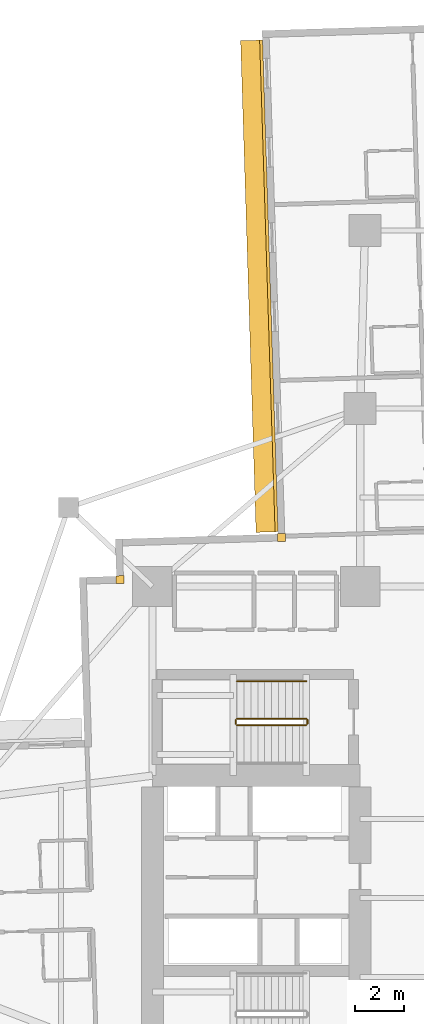
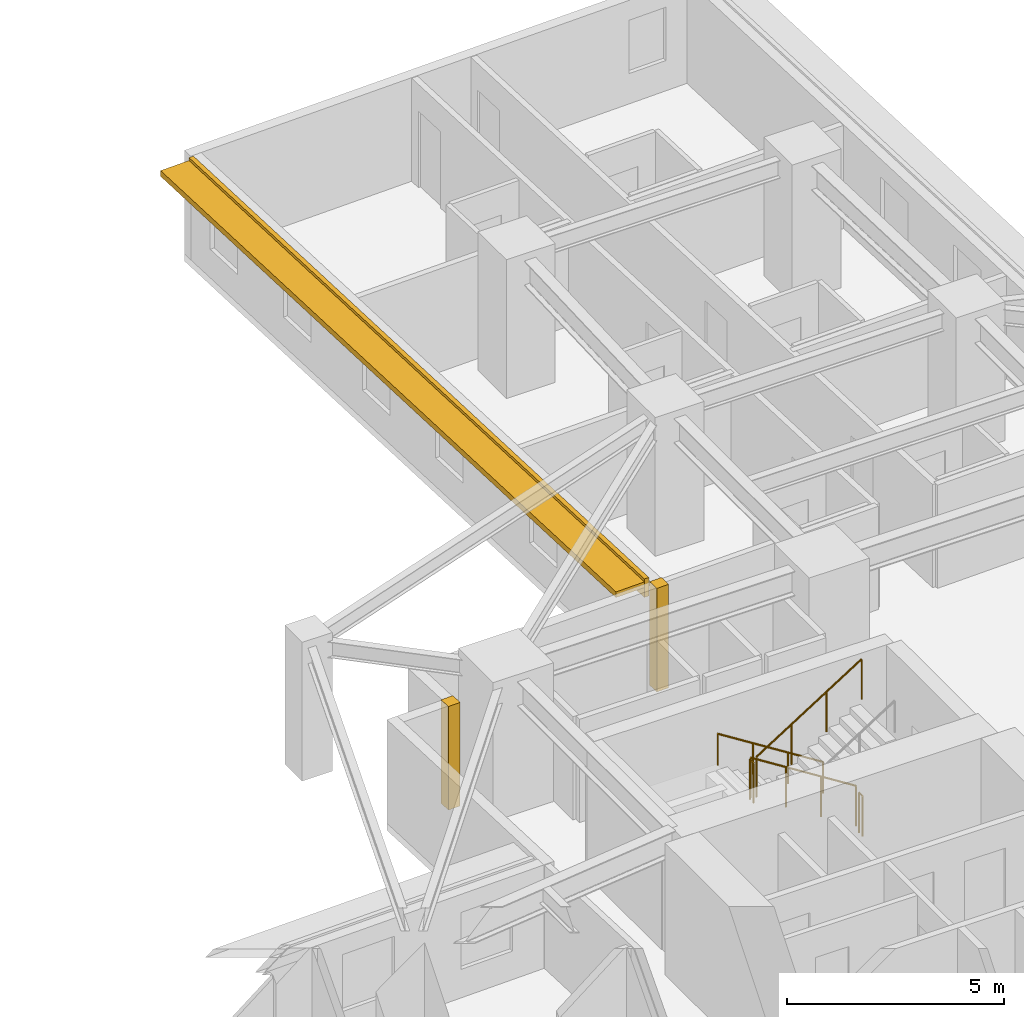
# One storey, part 14 of 15: 5 railings, 3 coverings, 1 shading device.
"""IFC4 building model written with IfcOpenShell, lengths in metres."""

from ifc_helpers import new_model, si_unit, direction, frame, origin, origin_2d, place, context, subcontext, project, spatial, rectangle, circle, extrude, material, layer, layer_set, type_object, element, save


model = new_model("IFC4")

# Units and contexts
model_context = context("Model", 3, precision=1e-05, world=origin(), true_north=direction((0.0, 1.0)))
body_context = subcontext(model_context, "Body", "Model", "MODEL_VIEW")
ifc_project = project(units=[si_unit("LENGTHUNIT", "METRE"), si_unit("AREAUNIT", "SQUARE_METRE"), si_unit("VOLUMEUNIT", "CUBIC_METRE"), si_unit("PLANEANGLEUNIT", "RADIAN"), si_unit("MASSUNIT", "GRAM", prefix="KILO")], contexts=[model_context])

# Site, building, storey
site_placement = place(None, origin())
site = spatial("IfcSite", under=ifc_project, at=site_placement, CompositionType="ELEMENT")
building_placement = place(site_placement, origin())
building = spatial("IfcBuilding", under=site, at=building_placement, Name="Qingluan Cross Belvedere", CompositionType="ELEMENT")
storey_placement = place(building_placement, frame((0.0, 0.0, 31.5)))
storey = spatial("IfcBuildingStorey", under=building, at=storey_placement, Name="L08", CompositionType="ELEMENT", Elevation=31.5)

# Coverings
ifc_material_1 = material(Name="Precast concrete C45", Category="concrete")
ifc_layer_1 = layer(ifc_material_1, 0.1201171875, Name="ConcreteSpandrelCladding_120")
ifc_layer_set_1 = layer_set([ifc_layer_1], Name="Precast concrete C45")
covering_type = type_object("IfcCoveringType", Name="ConcreteSpandrelCladding_120", PredefinedType="CLADDING", material=ifc_layer_set_1)
covering_placement = place(storey_placement, frame((-7.691650390625, 24.760498046875, 2.449951171875), z_axis=(0.0, 0.0, 1.0), x_axis=(0.031407934627, -0.999506649124, 0.0)))
element("IfcCovering", 1, at=covering_placement, inside=storey, type_object=covering_type, Name="Spandrel cladding L08-NB", PredefinedType="CLADDING", context=body_context, shape_type="SweptSolid", body=[
    extrude(rectangle(XDim=19.89990234375, YDim=0.1201171875, at=origin_2d()), origin(), (0.0, 0.0, 1.0), 0.52001953125),
])
for number, where, z_axis, x_axis, name in (
    (2, (-13.711181640625, 12.875732421875, 0.0), (0.0, 0.0, 1.0), (0.999506560366, 0.031410759078, 0.0), "Corner closure L08-NW1"),
    (3, (-7.181640625, 14.58154296875, 0.0), (0.0, 0.0, 1.0), (0.999506560366, 0.031410759078, 0.0), "Corner closure L08-NW2"),
):
    element("IfcCovering", number, at=place(storey_placement, frame(where, z_axis=z_axis, x_axis=x_axis)), inside=storey, type_object=covering_type, Name=name, PredefinedType="CLADDING", context=body_context, shape_type="SweptSolid", body=[
        extrude(rectangle(XDim=0.320068359375, YDim=0.320068359375, at=origin_2d()), origin(), (0.0, 0.0, 1.0), 2.909912109375),
    ])

# Shading device
ifc_material_2 = material(Name="Precast concrete C45", Category="concrete")
ifc_layer_2 = layer(ifc_material_2, 0.159912109375, Name="ConcreteSunshadeBand_900")
ifc_layer_set_2 = layer_set([ifc_layer_2], Name="Precast concrete C45")
shading_device_type = type_object("IfcShadingDeviceType", Name="ConcreteSunshadeBand_900", PredefinedType="USERDEFINED", material=ifc_layer_set_2)
shading_device_placement = place(storey_placement, frame((-8.0712890625, 24.74853515625, 2.72998046875), z_axis=(0.0, 0.0, 1.0), x_axis=(0.031407934627, -0.999506649124, 0.0)))
element("IfcShadingDevice", 4, at=shading_device_placement, inside=storey, type_object=shading_device_type, Name="Concrete SUNSHADE L08-NB", ObjectType="SUNSHADE", PredefinedType="USERDEFINED", context=body_context, shape_type="SweptSolid", body=[
    extrude(rectangle(XDim=19.89990234375, YDim=0.89990234375, at=origin_2d()), origin(), (0.0, 0.0, 1.0), 0.159912109375),
])

# Railings
ifc_material_3 = material(Name="Brushed stainless steel tubular handrail", Category="steel")
railing_type_1 = type_object("IfcRailingType", Name="StairPitchHandrail_900", PredefinedType="HANDRAIL", material=ifc_material_3)
railing_1_placement = place(storey_placement, frame((-6.179931640625, 8.77001953125, 0.17724609375)))
element("IfcRailing", 5, at=railing_1_placement, inside=storey, type_object=railing_type_1, Name="L08 ST3 stair handrail 1", PredefinedType="HANDRAIL", context=body_context, shape_type="SweptSolid", body=[
    extrude(circle(Radius=0.02392578125, at=origin_2d()), frame((0.0, 0.0, 0.8759765625), z_axis=(-0.844908973607, 0.0, 0.534910110503), x_axis=(0.0, -1.0, 0.0)), (0.0, 0.0, 1.0), 3.31396484375),
    extrude(circle(Radius=0.02099609375, at=origin_2d()), origin(), (0.0, 0.0, 1.0), 0.851806640625),
    extrude(circle(Radius=0.02099609375, at=origin_2d()), frame((-0.933349609375, 0.0, 0.5908203125)), (0.0, 0.0, 1.0), 0.851806640625),
    extrude(circle(Radius=0.02099609375, at=origin_2d()), frame((-1.86669921875, 0.0, 1.181884765625)), (0.0, 0.0, 1.0), 0.851806640625),
    extrude(circle(Radius=0.02099609375, at=origin_2d()), frame((-2.800048828125, 0.0, 1.772705078125)), (0.0, 0.0, 1.0), 0.851806640625),
])
ifc_material_4 = material(Name="Painted steel stair well guard", Category="steel")
railing_type_2 = type_object("IfcRailingType", Name="StairWellGuard_1150", PredefinedType="BALUSTRADE", material=ifc_material_4)
railing_2_placement = place(storey_placement, frame((-6.179931640625, 7.25, 0.17724609375)))
element("IfcRailing", 6, at=railing_2_placement, inside=storey, type_object=railing_type_2, Name="L08 ST3 stair guard 1", PredefinedType="BALUSTRADE", context=body_context, shape_type="SweptSolid", body=[
    extrude(circle(Radius=0.02392578125, at=origin_2d()), frame((0.0, 0.0, 1.1259765625), z_axis=(-0.844908973607, 0.0, 0.534910110503), x_axis=(0.0, -1.0, 0.0)), (0.0, 0.0, 1.0), 3.31396484375),
    extrude(circle(Radius=0.02099609375, at=origin_2d()), origin(), (0.0, 0.0, 1.0), 1.101806640625),
    extrude(circle(Radius=0.02099609375, at=origin_2d()), frame((-0.933349609375, 0.0, 0.5908203125)), (0.0, 0.0, 1.0), 1.101806640625),
    extrude(circle(Radius=0.02099609375, at=origin_2d()), frame((-1.86669921875, 0.0, 1.181884765625)), (0.0, 0.0, 1.0), 1.101806640625),
    extrude(circle(Radius=0.02099609375, at=origin_2d()), frame((-2.800048828125, 0.0, 1.772705078125)), (0.0, 0.0, 1.0), 1.101806640625),
])
railing_3_placement = place(storey_placement, frame((-9.030029296875, 7.199951171875, 1.949951171875)))
element("IfcRailing", 7, at=railing_3_placement, inside=storey, type_object=railing_type_2, Name="L08 ST3 stair guard 2", PredefinedType="BALUSTRADE", context=body_context, shape_type="SweptSolid", body=[
    extrude(circle(Radius=0.02392578125, at=origin_2d()), frame((0.0, 0.0, 1.1259765625), z_axis=(0.0, -1.0, 0.0), x_axis=(1.0, 0.0, 0.0)), (0.0, 0.0, 1.0), 0.159912109375),
    extrude(circle(Radius=0.02099609375, at=origin_2d()), origin(), (0.0, 0.0, 1.0), 1.101806640625),
    extrude(circle(Radius=0.02099609375, at=origin_2d()), frame((0.0, -0.159912109375, 0.0)), (0.0, 0.0, 1.0), 1.101806640625),
])
railing_4_placement = place(storey_placement, frame((-8.97998046875, 6.989990234375, 2.127197265625)))
element("IfcRailing", 8, at=railing_4_placement, inside=storey, type_object=railing_type_2, Name="L08 ST3 stair guard 3", PredefinedType="BALUSTRADE", context=body_context, shape_type="SweptSolid", body=[
    extrude(circle(Radius=0.02392578125, at=origin_2d()), frame((0.0, 0.0, 1.1259765625), z_axis=(0.844908973607, 0.0, 0.534910110503), x_axis=(0.0, 1.0, 0.0)), (0.0, 0.0, 1.0), 3.31396484375),
    extrude(circle(Radius=0.02099609375, at=origin_2d()), origin(), (0.0, 0.0, 1.0), 1.101806640625),
    extrude(circle(Radius=0.02099609375, at=origin_2d()), frame((0.933349609375, 0.0, 0.5908203125)), (0.0, 0.0, 1.0), 1.101806640625),
    extrude(circle(Radius=0.02099609375, at=origin_2d()), frame((1.86669921875, 0.0, 1.181884765625)), (0.0, 0.0, 1.0), 1.101806640625),
    extrude(circle(Radius=0.02099609375, at=origin_2d()), frame((2.800048828125, 0.0, 1.772705078125)), (0.0, 0.0, 1.0), 1.101806640625),
])
railing_5_placement = place(storey_placement, frame((-6.1298828125, 7.199951171875, 0.0)))
element("IfcRailing", 9, at=railing_5_placement, inside=storey, type_object=railing_type_2, Name="L08 ST3 stair guard 4", PredefinedType="BALUSTRADE", context=body_context, shape_type="SweptSolid", body=[
    extrude(circle(Radius=0.02392578125, at=origin_2d()), frame((0.0, 0.0, 1.1259765625), z_axis=(0.0, -1.0, 0.0), x_axis=(1.0, 0.0, 0.0)), (0.0, 0.0, 1.0), 0.159912109375),
    extrude(circle(Radius=0.02099609375, at=origin_2d()), origin(), (0.0, 0.0, 1.0), 1.101806640625),
    extrude(circle(Radius=0.02099609375, at=origin_2d()), frame((0.0, -0.159912109375, 0.0)), (0.0, 0.0, 1.0), 1.101806640625),
])

save(model, "model.ifc")
